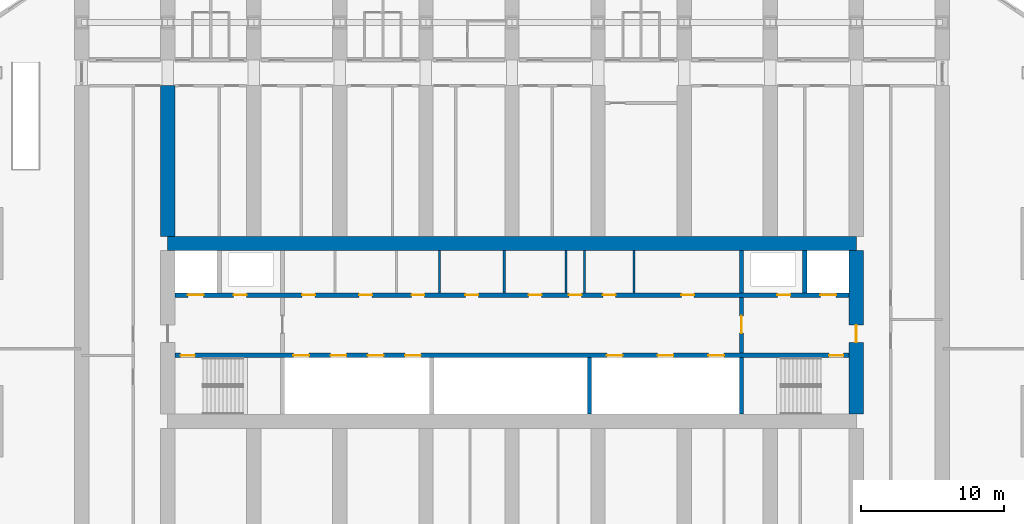
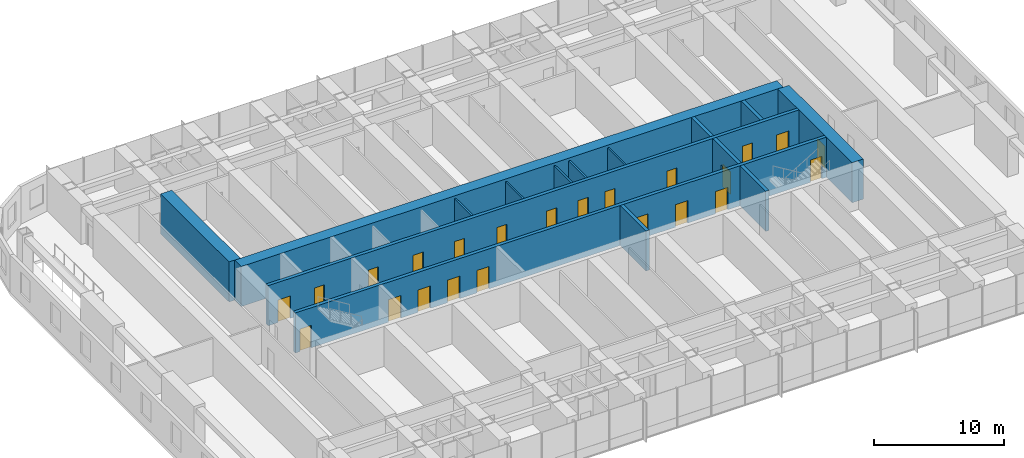
# One storey, part 13 of 22: 23 doors, 15 walls, 23 openings.
"""IFC4 building model written with IfcOpenShell, lengths in metres."""

from ifc_helpers import new_model, si_unit, direction, frame, frame_2d, origin, place, context, subcontext, project, spatial, rectangle, extrude, material, layer, layer_set, type_object, element, fill, save


model = new_model("IFC4")

# Units and contexts
model_context = context("Model", 3, precision=1e-05, world=origin(), true_north=direction((0.0, 1.0)))
body_context = subcontext(model_context, "Body", "Model", "MODEL_VIEW")
ifc_project = project(units=[si_unit("LENGTHUNIT", "METRE"), si_unit("AREAUNIT", "SQUARE_METRE"), si_unit("VOLUMEUNIT", "CUBIC_METRE"), si_unit("PLANEANGLEUNIT", "RADIAN"), si_unit("MASSUNIT", "GRAM", prefix="KILO")], contexts=[model_context])

# Site, building, storey
site_placement = place(None, origin())
site = spatial("IfcSite", under=ifc_project, at=site_placement, CompositionType="ELEMENT")
building_placement = place(site_placement, origin())
building = spatial("IfcBuilding", under=site, at=building_placement, Name="Orbita Commons", CompositionType="ELEMENT")
storey_placement = place(building_placement, frame((0.0, 0.0, 57.699951171875)))
storey = spatial("IfcBuildingStorey", under=building, at=storey_placement, Name="L14", CompositionType="ELEMENT", Elevation=57.699951171875)

# Wall, openings, doors
ifc_material_1 = material(Name="Concrete C50/60", Category="concrete")
ifc_layer_1 = layer(ifc_material_1, 0.300048828125)
ifc_layer_set_1 = layer_set([ifc_layer_1], Name="Concrete C50/60")
wall_type_1 = type_object("IfcWallType", Name="Core inner wall 300 C50/60", PredefinedType="SHEAR", material=ifc_layer_set_1)
wall_1_placement = place(storey_placement, frame((18.5, 30.39990234375, 0.0), z_axis=(0.0, 0.0, 1.0), x_axis=(1.0, 0.0, 0.0)))
wall_1 = element("IfcWall", 1, at=wall_1_placement, inside=storey, type_object=wall_type_1, Name="Lobby wall south L14", PredefinedType="SHEAR", context=body_context, shape_type="SweptSolid", body=[
    extrude(rectangle(XDim=47.0, YDim=0.300048828125, at=frame_2d((23.5, 0.0))), origin(), (0.0, 0.0, 1.0), 3.75),
])
opening_1_placement = place(wall_1_placement, frame((0.39990234375, 0.0, 0.0)))
opening_1 = element("IfcOpeningElement", 2, at=opening_1_placement, cuts=wall_1, Name="Opening D02", PredefinedType="OPENING", context=body_context, shape_type="SweptSolid", body=[
    extrude(rectangle(XDim=1.0, YDim=2.10009765625, at=frame_2d((0.5, 1.050048828125))), frame((0.0, 0.159912109375, 0.0), z_axis=(0.0, -1.0, 0.0), x_axis=(1.0, 0.0, 0.0)), (0.0, 0.0, 1.0), 0.320068359375),
])
opening_2_placement = place(wall_1_placement, frame((45.60009765625, 0.0, 0.0)))
opening_2 = element("IfcOpeningElement", 3, at=opening_2_placement, cuts=wall_1, Name="Opening D02", PredefinedType="OPENING", context=body_context, shape_type="SweptSolid", body=[
    extrude(rectangle(XDim=1.0, YDim=2.10009765625, at=frame_2d((0.5, 1.050048828125))), frame((0.0, 0.159912109375, 0.0), z_axis=(0.0, -1.0, 0.0), x_axis=(1.0, 0.0, 0.0)), (0.0, 0.0, 1.0), 0.320068359375),
])
opening_3_placement = place(wall_1_placement, frame((8.25, 0.0, 0.0)))
opening_3 = element("IfcOpeningElement", 4, at=opening_3_placement, cuts=wall_1, Name="Opening LD02", PredefinedType="OPENING", context=body_context, shape_type="SweptSolid", body=[
    extrude(rectangle(XDim=1.10009765625, YDim=2.10009765625, at=frame_2d((0.550048828125, 1.050048828125))), frame((0.0, 0.159912109375, 0.0), z_axis=(0.0, -1.0, 0.0), x_axis=(1.0, 0.0, 0.0)), (0.0, 0.0, 1.0), 0.320068359375),
])
opening_4_placement = place(wall_1_placement, frame((10.85009765625, 0.0, 0.0)))
opening_4 = element("IfcOpeningElement", 5, at=opening_4_placement, cuts=wall_1, Name="Opening LD02", PredefinedType="OPENING", context=body_context, shape_type="SweptSolid", body=[
    extrude(rectangle(XDim=1.10009765625, YDim=2.10009765625, at=frame_2d((0.550048828125, 1.050048828125))), frame((0.0, 0.159912109375, 0.0), z_axis=(0.0, -1.0, 0.0), x_axis=(1.0, 0.0, 0.0)), (0.0, 0.0, 1.0), 0.320068359375),
])
opening_5_placement = place(wall_1_placement, frame((13.449951171875, 0.0, 0.0)))
opening_5 = element("IfcOpeningElement", 6, at=opening_5_placement, cuts=wall_1, Name="Opening LD02", PredefinedType="OPENING", context=body_context, shape_type="SweptSolid", body=[
    extrude(rectangle(XDim=1.10009765625, YDim=2.10009765625, at=frame_2d((0.550048828125, 1.050048828125))), frame((0.0, 0.159912109375, 0.0), z_axis=(0.0, -1.0, 0.0), x_axis=(1.0, 0.0, 0.0)), (0.0, 0.0, 1.0), 0.320068359375),
])
opening_6_placement = place(wall_1_placement, frame((16.050048828125, 0.0, 0.0)))
opening_6 = element("IfcOpeningElement", 7, at=opening_6_placement, cuts=wall_1, Name="Opening LD02", PredefinedType="OPENING", context=body_context, shape_type="SweptSolid", body=[
    extrude(rectangle(XDim=1.10009765625, YDim=2.10009765625, at=frame_2d((0.550048828125, 1.050048828125))), frame((0.0, 0.159912109375, 0.0), z_axis=(0.0, -1.0, 0.0), x_axis=(1.0, 0.0, 0.0)), (0.0, 0.0, 1.0), 0.320068359375),
])
opening_7_placement = place(wall_1_placement, frame((30.11669921875, 0.0, 0.0)))
opening_7 = element("IfcOpeningElement", 8, at=opening_7_placement, cuts=wall_1, Name="Opening LD02", PredefinedType="OPENING", context=body_context, shape_type="SweptSolid", body=[
    extrude(rectangle(XDim=1.10009765625, YDim=2.10009765625, at=frame_2d((0.550048828125, 1.050048828125))), frame((0.0, 0.159912109375, 0.0), z_axis=(0.0, -1.0, 0.0), x_axis=(1.0, 0.0, 0.0)), (0.0, 0.0, 1.0), 0.320068359375),
])
opening_8_placement = place(wall_1_placement, frame((33.64990234375, 0.0, 0.0)))
opening_8 = element("IfcOpeningElement", 9, at=opening_8_placement, cuts=wall_1, Name="Opening LD02", PredefinedType="OPENING", context=body_context, shape_type="SweptSolid", body=[
    extrude(rectangle(XDim=1.10009765625, YDim=2.10009765625, at=frame_2d((0.550048828125, 1.050048828125))), frame((0.0, 0.159912109375, 0.0), z_axis=(0.0, -1.0, 0.0), x_axis=(1.0, 0.0, 0.0)), (0.0, 0.0, 1.0), 0.320068359375),
])
opening_9_placement = place(wall_1_placement, frame((37.183349609375, 0.0, 0.0)))
opening_9 = element("IfcOpeningElement", 10, at=opening_9_placement, cuts=wall_1, Name="Opening LD02", PredefinedType="OPENING", context=body_context, shape_type="SweptSolid", body=[
    extrude(rectangle(XDim=1.10009765625, YDim=2.10009765625, at=frame_2d((0.550048828125, 1.050048828125))), frame((0.0, 0.159912109375, 0.0), z_axis=(0.0, -1.0, 0.0), x_axis=(1.0, 0.0, 0.0)), (0.0, 0.0, 1.0), 0.320068359375),
])
ifc_material_2 = material(Name="Steel-faced fire door leaf", Category="steel")
door_type_1 = type_object("IfcDoorType", Name="Fire door 90 min 1000x2100", OperationType="SINGLE_SWING_LEFT", PredefinedType="DOOR", material=ifc_material_2)
door_1_placement = place(opening_1_placement, origin())
door_1 = element("IfcDoor", 11, at=door_1_placement, inside=storey, type_object=door_type_1, Name="Stair S1 door", OperationType="SINGLE_SWING_LEFT", OverallHeight=2.10009765625, OverallWidth=1.0, PredefinedType="DOOR", context=body_context, shape_type="SweptSolid", body=[
    extrude(rectangle(XDim=1.0, YDim=2.10009765625, at=frame_2d((0.5, 1.050048828125))), frame((0.0, 0.02490234375, 0.0), z_axis=(0.0, -1.0, 0.0), x_axis=(1.0, 0.0, 0.0)), (0.0, 0.0, 1.0), 0.050048828125),
])
fill(opening_1, door_1)
door_2_placement = place(opening_2_placement, origin())
door_2 = element("IfcDoor", 12, at=door_2_placement, inside=storey, type_object=door_type_1, Name="Stair S2 door", OperationType="SINGLE_SWING_LEFT", OverallHeight=2.10009765625, OverallWidth=1.0, PredefinedType="DOOR", context=body_context, shape_type="SweptSolid", body=[
    extrude(rectangle(XDim=1.0, YDim=2.10009765625, at=frame_2d((0.5, 1.050048828125))), frame((0.0, 0.02490234375, 0.0), z_axis=(0.0, -1.0, 0.0), x_axis=(1.0, 0.0, 0.0)), (0.0, 0.0, 1.0), 0.050048828125),
])
fill(opening_2, door_2)
ifc_material_3 = material(Name="Steel-faced fire door leaf", Category="steel")
door_type_2 = type_object("IfcDoorType", Name="Lift landing door 1100x2100", OperationType="DOUBLE_DOOR_SLIDING", PredefinedType="DOOR", material=ifc_material_3)
door_3_placement = place(opening_3_placement, origin())
door_3 = element("IfcDoor", 13, at=door_3_placement, inside=storey, type_object=door_type_2, Name="Lift P11 landing door", OperationType="DOUBLE_DOOR_SLIDING", OverallHeight=2.10009765625, OverallWidth=1.10009765625, PredefinedType="DOOR", context=body_context, shape_type="SweptSolid", body=[
    extrude(rectangle(XDim=1.10009765625, YDim=2.10009765625, at=frame_2d((0.550048828125, 1.050048828125))), frame((0.0, 0.02490234375, 0.0), z_axis=(0.0, -1.0, 0.0), x_axis=(1.0, 0.0, 0.0)), (0.0, 0.0, 1.0), 0.050048828125),
])
fill(opening_3, door_3)
door_4_placement = place(opening_4_placement, origin())
door_4 = element("IfcDoor", 14, at=door_4_placement, inside=storey, type_object=door_type_2, Name="Lift P12 landing door", OperationType="DOUBLE_DOOR_SLIDING", OverallHeight=2.10009765625, OverallWidth=1.10009765625, PredefinedType="DOOR", context=body_context, shape_type="SweptSolid", body=[
    extrude(rectangle(XDim=1.10009765625, YDim=2.10009765625, at=frame_2d((0.550048828125, 1.050048828125))), frame((0.0, 0.02490234375, 0.0), z_axis=(0.0, -1.0, 0.0), x_axis=(1.0, 0.0, 0.0)), (0.0, 0.0, 1.0), 0.050048828125),
])
fill(opening_4, door_4)
door_5_placement = place(opening_5_placement, origin())
door_5 = element("IfcDoor", 15, at=door_5_placement, inside=storey, type_object=door_type_2, Name="Lift P13 landing door", OperationType="DOUBLE_DOOR_SLIDING", OverallHeight=2.10009765625, OverallWidth=1.10009765625, PredefinedType="DOOR", context=body_context, shape_type="SweptSolid", body=[
    extrude(rectangle(XDim=1.10009765625, YDim=2.10009765625, at=frame_2d((0.550048828125, 1.050048828125))), frame((0.0, 0.02490234375, 0.0), z_axis=(0.0, -1.0, 0.0), x_axis=(1.0, 0.0, 0.0)), (0.0, 0.0, 1.0), 0.050048828125),
])
fill(opening_5, door_5)
door_6_placement = place(opening_6_placement, origin())
door_6 = element("IfcDoor", 16, at=door_6_placement, inside=storey, type_object=door_type_2, Name="Lift P14 landing door", OperationType="DOUBLE_DOOR_SLIDING", OverallHeight=2.10009765625, OverallWidth=1.10009765625, PredefinedType="DOOR", context=body_context, shape_type="SweptSolid", body=[
    extrude(rectangle(XDim=1.10009765625, YDim=2.10009765625, at=frame_2d((0.550048828125, 1.050048828125))), frame((0.0, 0.02490234375, 0.0), z_axis=(0.0, -1.0, 0.0), x_axis=(1.0, 0.0, 0.0)), (0.0, 0.0, 1.0), 0.050048828125),
])
fill(opening_6, door_6)
door_7_placement = place(opening_7_placement, origin())
door_7 = element("IfcDoor", 17, at=door_7_placement, inside=storey, type_object=door_type_2, Name="Lift SV1 landing door", OperationType="DOUBLE_DOOR_SLIDING", OverallHeight=2.10009765625, OverallWidth=1.10009765625, PredefinedType="DOOR", context=body_context, shape_type="SweptSolid", body=[
    extrude(rectangle(XDim=1.10009765625, YDim=2.10009765625, at=frame_2d((0.550048828125, 1.050048828125))), frame((0.0, 0.02490234375, 0.0), z_axis=(0.0, -1.0, 0.0), x_axis=(1.0, 0.0, 0.0)), (0.0, 0.0, 1.0), 0.050048828125),
])
fill(opening_7, door_7)
door_8_placement = place(opening_8_placement, origin())
door_8 = element("IfcDoor", 18, at=door_8_placement, inside=storey, type_object=door_type_2, Name="Lift SV2 landing door", OperationType="DOUBLE_DOOR_SLIDING", OverallHeight=2.10009765625, OverallWidth=1.10009765625, PredefinedType="DOOR", context=body_context, shape_type="SweptSolid", body=[
    extrude(rectangle(XDim=1.10009765625, YDim=2.10009765625, at=frame_2d((0.550048828125, 1.050048828125))), frame((0.0, 0.02490234375, 0.0), z_axis=(0.0, -1.0, 0.0), x_axis=(1.0, 0.0, 0.0)), (0.0, 0.0, 1.0), 0.050048828125),
])
fill(opening_8, door_8)
door_9_placement = place(opening_9_placement, origin())
door_9 = element("IfcDoor", 19, at=door_9_placement, inside=storey, type_object=door_type_2, Name="Lift SV3 landing door", OperationType="DOUBLE_DOOR_SLIDING", OverallHeight=2.10009765625, OverallWidth=1.10009765625, PredefinedType="DOOR", context=body_context, shape_type="SweptSolid", body=[
    extrude(rectangle(XDim=1.10009765625, YDim=2.10009765625, at=frame_2d((0.550048828125, 1.050048828125))), frame((0.0, 0.02490234375, 0.0), z_axis=(0.0, -1.0, 0.0), x_axis=(1.0, 0.0, 0.0)), (0.0, 0.0, 1.0), 0.050048828125),
])
fill(opening_9, door_9)

wall_2_placement = place(storey_placement, frame((18.5, 34.60009765625, 0.0), z_axis=(0.0, 0.0, 1.0), x_axis=(1.0, 0.0, 0.0)))
wall_2 = element("IfcWall", 20, at=wall_2_placement, inside=storey, type_object=wall_type_1, Name="Lobby wall north L14", PredefinedType="SHEAR", context=body_context, shape_type="SweptSolid", body=[
    extrude(rectangle(XDim=47.0, YDim=0.300048828125, at=frame_2d((23.5, 0.0))), origin(), (0.0, 0.0, 1.0), 3.75),
])
opening_10_placement = place(wall_2_placement, frame((0.89990234375, 0.0, 0.0)))
opening_10 = element("IfcOpeningElement", 21, at=opening_10_placement, cuts=wall_2, Name="Opening LD01", PredefinedType="OPENING", context=body_context, shape_type="SweptSolid", body=[
    extrude(rectangle(XDim=1.10009765625, YDim=2.10009765625, at=frame_2d((0.550048828125, 1.050048828125))), frame((0.0, 0.159912109375, 0.0), z_axis=(0.0, -1.0, 0.0), x_axis=(1.0, 0.0, 0.0)), (0.0, 0.0, 1.0), 0.320068359375),
])
opening_11_placement = place(wall_2_placement, frame((45.0, 0.0, 0.0)))
opening_11 = element("IfcOpeningElement", 22, at=opening_11_placement, cuts=wall_2, Name="Opening LD01", PredefinedType="OPENING", context=body_context, shape_type="SweptSolid", body=[
    extrude(rectangle(XDim=1.10009765625, YDim=2.10009765625, at=frame_2d((0.550048828125, 1.050048828125))), frame((0.0, 0.159912109375, 0.0), z_axis=(0.0, -1.0, 0.0), x_axis=(1.0, 0.0, 0.0)), (0.0, 0.0, 1.0), 0.320068359375),
])
opening_12_placement = place(wall_2_placement, frame((4.10009765625, 0.0, 0.0)))
opening_12 = element("IfcOpeningElement", 23, at=opening_12_placement, cuts=wall_2, Name="Opening D03", PredefinedType="OPENING", context=body_context, shape_type="SweptSolid", body=[
    extrude(rectangle(XDim=0.89990234375, YDim=2.10009765625, at=frame_2d((0.449951171875, 1.050048828125))), frame((0.0, 0.159912109375, 0.0), z_axis=(0.0, -1.0, 0.0), x_axis=(1.0, 0.0, 0.0)), (0.0, 0.0, 1.0), 0.320068359375),
])
opening_13_placement = place(wall_2_placement, frame((42.0, 0.0, 0.0)))
opening_13 = element("IfcOpeningElement", 24, at=opening_13_placement, cuts=wall_2, Name="Opening D03", PredefinedType="OPENING", context=body_context, shape_type="SweptSolid", body=[
    extrude(rectangle(XDim=0.89990234375, YDim=2.10009765625, at=frame_2d((0.449951171875, 1.050048828125))), frame((0.0, 0.159912109375, 0.0), z_axis=(0.0, -1.0, 0.0), x_axis=(1.0, 0.0, 0.0)), (0.0, 0.0, 1.0), 0.320068359375),
])
opening_14_placement = place(wall_2_placement, frame((8.87548828125, 0.0, 0.0)))
opening_14 = element("IfcOpeningElement", 25, at=opening_14_placement, cuts=wall_2, Name="Opening D05", PredefinedType="OPENING", context=body_context, shape_type="SweptSolid", body=[
    extrude(rectangle(XDim=0.89990234375, YDim=2.10009765625, at=frame_2d((0.449951171875, 1.050048828125))), frame((0.0, 0.159912109375, 0.0), z_axis=(0.0, -1.0, 0.0), x_axis=(1.0, 0.0, 0.0)), (0.0, 0.0, 1.0), 0.320068359375),
])
opening_15_placement = place(wall_2_placement, frame((12.8486328125, 0.0, 0.0)))
opening_15 = element("IfcOpeningElement", 26, at=opening_15_placement, cuts=wall_2, Name="Opening D03", PredefinedType="OPENING", context=body_context, shape_type="SweptSolid", body=[
    extrude(rectangle(XDim=0.89990234375, YDim=2.10009765625, at=frame_2d((0.449951171875, 1.050048828125))), frame((0.0, 0.159912109375, 0.0), z_axis=(0.0, -1.0, 0.0), x_axis=(1.0, 0.0, 0.0)), (0.0, 0.0, 1.0), 0.320068359375),
])
opening_16_placement = place(wall_2_placement, frame((16.496337890625, 0.0, 0.0)))
opening_16 = element("IfcOpeningElement", 27, at=opening_16_placement, cuts=wall_2, Name="Opening D03", PredefinedType="OPENING", context=body_context, shape_type="SweptSolid", body=[
    extrude(rectangle(XDim=0.89990234375, YDim=2.10009765625, at=frame_2d((0.449951171875, 1.050048828125))), frame((0.0, 0.159912109375, 0.0), z_axis=(0.0, -1.0, 0.0), x_axis=(1.0, 0.0, 0.0)), (0.0, 0.0, 1.0), 0.320068359375),
])
opening_17_placement = place(wall_2_placement, frame((20.254638671875, 0.0, 0.0)))
opening_17 = element("IfcOpeningElement", 28, at=opening_17_placement, cuts=wall_2, Name="Opening D05", PredefinedType="OPENING", context=body_context, shape_type="SweptSolid", body=[
    extrude(rectangle(XDim=0.89990234375, YDim=2.10009765625, at=frame_2d((0.449951171875, 1.050048828125))), frame((0.0, 0.159912109375, 0.0), z_axis=(0.0, -1.0, 0.0), x_axis=(1.0, 0.0, 0.0)), (0.0, 0.0, 1.0), 0.320068359375),
])
opening_18_placement = place(wall_2_placement, frame((24.66064453125, 0.0, 0.0)))
opening_18 = element("IfcOpeningElement", 29, at=opening_18_placement, cuts=wall_2, Name="Opening D03", PredefinedType="OPENING", context=body_context, shape_type="SweptSolid", body=[
    extrude(rectangle(XDim=0.89990234375, YDim=2.10009765625, at=frame_2d((0.449951171875, 1.050048828125))), frame((0.0, 0.159912109375, 0.0), z_axis=(0.0, -1.0, 0.0), x_axis=(1.0, 0.0, 0.0)), (0.0, 0.0, 1.0), 0.320068359375),
])
opening_19_placement = place(wall_2_placement, frame((27.45849609375, 0.0, 0.0)))
opening_19 = element("IfcOpeningElement", 30, at=opening_19_placement, cuts=wall_2, Name="Opening D03", PredefinedType="OPENING", context=body_context, shape_type="SweptSolid", body=[
    extrude(rectangle(XDim=0.89990234375, YDim=2.10009765625, at=frame_2d((0.449951171875, 1.050048828125))), frame((0.0, 0.159912109375, 0.0), z_axis=(0.0, -1.0, 0.0), x_axis=(1.0, 0.0, 0.0)), (0.0, 0.0, 1.0), 0.320068359375),
])
opening_20_placement = place(wall_2_placement, frame((29.830810546875, 0.0, 0.0)))
opening_20 = element("IfcOpeningElement", 31, at=opening_20_placement, cuts=wall_2, Name="Opening D05", PredefinedType="OPENING", context=body_context, shape_type="SweptSolid", body=[
    extrude(rectangle(XDim=0.89990234375, YDim=2.10009765625, at=frame_2d((0.449951171875, 1.050048828125))), frame((0.0, 0.159912109375, 0.0), z_axis=(0.0, -1.0, 0.0), x_axis=(1.0, 0.0, 0.0)), (0.0, 0.0, 1.0), 0.320068359375),
])
opening_21_placement = place(wall_2_placement, frame((35.301513671875, 0.0, 0.0)))
opening_21 = element("IfcOpeningElement", 32, at=opening_21_placement, cuts=wall_2, Name="Opening D03", PredefinedType="OPENING", context=body_context, shape_type="SweptSolid", body=[
    extrude(rectangle(XDim=0.89990234375, YDim=2.10009765625, at=frame_2d((0.449951171875, 1.050048828125))), frame((0.0, 0.159912109375, 0.0), z_axis=(0.0, -1.0, 0.0), x_axis=(1.0, 0.0, 0.0)), (0.0, 0.0, 1.0), 0.320068359375),
])
ifc_material_4 = material(Name="Steel-faced fire door leaf", Category="steel")
door_type_3 = type_object("IfcDoorType", Name="Firefighting lift landing door 1100x2100", OperationType="DOUBLE_DOOR_SLIDING", PredefinedType="DOOR", material=ifc_material_4)
door_10_placement = place(opening_10_placement, origin())
door_10 = element("IfcDoor", 33, at=door_10_placement, inside=storey, type_object=door_type_3, Name="Firefighting lift FL1 landing door", OperationType="DOUBLE_DOOR_SLIDING", OverallHeight=2.10009765625, OverallWidth=1.10009765625, PredefinedType="DOOR", context=body_context, shape_type="SweptSolid", body=[
    extrude(rectangle(XDim=1.10009765625, YDim=2.10009765625, at=frame_2d((0.550048828125, 1.050048828125))), frame((0.0, 0.02490234375, 0.0), z_axis=(0.0, -1.0, 0.0), x_axis=(1.0, 0.0, 0.0)), (0.0, 0.0, 1.0), 0.050048828125),
])
fill(opening_10, door_10)
door_11_placement = place(opening_11_placement, origin())
door_11 = element("IfcDoor", 34, at=door_11_placement, inside=storey, type_object=door_type_3, Name="Firefighting lift FL2 landing door", OperationType="DOUBLE_DOOR_SLIDING", OverallHeight=2.10009765625, OverallWidth=1.10009765625, PredefinedType="DOOR", context=body_context, shape_type="SweptSolid", body=[
    extrude(rectangle(XDim=1.10009765625, YDim=2.10009765625, at=frame_2d((0.550048828125, 1.050048828125))), frame((0.0, 0.02490234375, 0.0), z_axis=(0.0, -1.0, 0.0), x_axis=(1.0, 0.0, 0.0)), (0.0, 0.0, 1.0), 0.050048828125),
])
fill(opening_11, door_11)
ifc_material_5 = material(Name="Steel-faced fire door leaf", Category="steel")
door_type_4 = type_object("IfcDoorType", Name="Service door 20 min 900x2100", OperationType="SINGLE_SWING_LEFT", PredefinedType="DOOR", material=ifc_material_5)
door_12_placement = place(opening_14_placement, origin())
door_12 = element("IfcDoor", 35, at=door_12_placement, inside=storey, type_object=door_type_4, Name="Staff WC door", OperationType="SINGLE_SWING_LEFT", OverallHeight=2.10009765625, OverallWidth=0.89990234375, PredefinedType="DOOR", context=body_context, shape_type="SweptSolid", body=[
    extrude(rectangle(XDim=0.89990234375, YDim=2.10009765625, at=frame_2d((0.449951171875, 1.050048828125))), frame((0.0, 0.02490234375, 0.0), z_axis=(0.0, -1.0, 0.0), x_axis=(1.0, 0.0, 0.0)), (0.0, 0.0, 1.0), 0.050048828125),
])
fill(opening_14, door_12)
door_13_placement = place(opening_17_placement, origin())
door_13 = element("IfcDoor", 36, at=door_13_placement, inside=storey, type_object=door_type_4, Name="Vending and ice room door", OperationType="SINGLE_SWING_LEFT", OverallHeight=2.10009765625, OverallWidth=0.89990234375, PredefinedType="DOOR", context=body_context, shape_type="SweptSolid", body=[
    extrude(rectangle(XDim=0.89990234375, YDim=2.10009765625, at=frame_2d((0.449951171875, 1.050048828125))), frame((0.0, 0.02490234375, 0.0), z_axis=(0.0, -1.0, 0.0), x_axis=(1.0, 0.0, 0.0)), (0.0, 0.0, 1.0), 0.050048828125),
])
fill(opening_17, door_13)
door_14_placement = place(opening_20_placement, origin())
door_14 = element("IfcDoor", 37, at=door_14_placement, inside=storey, type_object=door_type_4, Name="Accessible WC door", OperationType="SINGLE_SWING_LEFT", OverallHeight=2.10009765625, OverallWidth=0.89990234375, PredefinedType="DOOR", context=body_context, shape_type="SweptSolid", body=[
    extrude(rectangle(XDim=0.89990234375, YDim=2.10009765625, at=frame_2d((0.449951171875, 1.050048828125))), frame((0.0, 0.02490234375, 0.0), z_axis=(0.0, -1.0, 0.0), x_axis=(1.0, 0.0, 0.0)), (0.0, 0.0, 1.0), 0.050048828125),
])
fill(opening_20, door_14)
ifc_material_6 = material(Name="Steel-faced fire door leaf", Category="steel")
door_type_5 = type_object("IfcDoorType", Name="Shaft access door 90 min 900x2100", OperationType="SINGLE_SWING_LEFT", PredefinedType="DOOR", material=ifc_material_6)
door_15_placement = place(opening_12_placement, origin())
door_15 = element("IfcDoor", 38, at=door_15_placement, inside=storey, type_object=door_type_5, Name="Riser door west", OperationType="SINGLE_SWING_LEFT", OverallHeight=2.10009765625, OverallWidth=0.89990234375, PredefinedType="DOOR", context=body_context, shape_type="SweptSolid", body=[
    extrude(rectangle(XDim=0.89990234375, YDim=2.10009765625, at=frame_2d((0.449951171875, 1.050048828125))), frame((0.0, 0.02490234375, 0.0), z_axis=(0.0, -1.0, 0.0), x_axis=(1.0, 0.0, 0.0)), (0.0, 0.0, 1.0), 0.050048828125),
])
fill(opening_12, door_15)
door_16_placement = place(opening_13_placement, origin())
door_16 = element("IfcDoor", 39, at=door_16_placement, inside=storey, type_object=door_type_5, Name="Riser door east", OperationType="SINGLE_SWING_LEFT", OverallHeight=2.10009765625, OverallWidth=0.89990234375, PredefinedType="DOOR", context=body_context, shape_type="SweptSolid", body=[
    extrude(rectangle(XDim=0.89990234375, YDim=2.10009765625, at=frame_2d((0.449951171875, 1.050048828125))), frame((0.0, 0.02490234375, 0.0), z_axis=(0.0, -1.0, 0.0), x_axis=(1.0, 0.0, 0.0)), (0.0, 0.0, 1.0), 0.050048828125),
])
fill(opening_13, door_16)
door_17_placement = place(opening_15_placement, origin())
door_17 = element("IfcDoor", 40, at=door_17_placement, inside=storey, type_object=door_type_5, Name="Refuse chute room door", OperationType="SINGLE_SWING_LEFT", OverallHeight=2.10009765625, OverallWidth=0.89990234375, PredefinedType="DOOR", context=body_context, shape_type="SweptSolid", body=[
    extrude(rectangle(XDim=0.89990234375, YDim=2.10009765625, at=frame_2d((0.449951171875, 1.050048828125))), frame((0.0, 0.02490234375, 0.0), z_axis=(0.0, -1.0, 0.0), x_axis=(1.0, 0.0, 0.0)), (0.0, 0.0, 1.0), 0.050048828125),
])
fill(opening_15, door_17)
door_18_placement = place(opening_16_placement, origin())
door_18 = element("IfcDoor", 41, at=door_18_placement, inside=storey, type_object=door_type_5, Name="Electrical riser room door", OperationType="SINGLE_SWING_LEFT", OverallHeight=2.10009765625, OverallWidth=0.89990234375, PredefinedType="DOOR", context=body_context, shape_type="SweptSolid", body=[
    extrude(rectangle(XDim=0.89990234375, YDim=2.10009765625, at=frame_2d((0.449951171875, 1.050048828125))), frame((0.0, 0.02490234375, 0.0), z_axis=(0.0, -1.0, 0.0), x_axis=(1.0, 0.0, 0.0)), (0.0, 0.0, 1.0), 0.050048828125),
])
fill(opening_16, door_18)
door_19_placement = place(opening_18_placement, origin())
door_19 = element("IfcDoor", 42, at=door_19_placement, inside=storey, type_object=door_type_5, Name="Communications room door", OperationType="SINGLE_SWING_LEFT", OverallHeight=2.10009765625, OverallWidth=0.89990234375, PredefinedType="DOOR", context=body_context, shape_type="SweptSolid", body=[
    extrude(rectangle(XDim=0.89990234375, YDim=2.10009765625, at=frame_2d((0.449951171875, 1.050048828125))), frame((0.0, 0.02490234375, 0.0), z_axis=(0.0, -1.0, 0.0), x_axis=(1.0, 0.0, 0.0)), (0.0, 0.0, 1.0), 0.050048828125),
])
fill(opening_18, door_19)
door_20_placement = place(opening_19_placement, origin())
door_20 = element("IfcDoor", 43, at=door_20_placement, inside=storey, type_object=door_type_5, Name="Stair pressurisation duct door", OperationType="SINGLE_SWING_LEFT", OverallHeight=2.10009765625, OverallWidth=0.89990234375, PredefinedType="DOOR", context=body_context, shape_type="SweptSolid", body=[
    extrude(rectangle(XDim=0.89990234375, YDim=2.10009765625, at=frame_2d((0.449951171875, 1.050048828125))), frame((0.0, 0.02490234375, 0.0), z_axis=(0.0, -1.0, 0.0), x_axis=(1.0, 0.0, 0.0)), (0.0, 0.0, 1.0), 0.050048828125),
])
fill(opening_19, door_20)
door_21_placement = place(opening_21_placement, origin())
door_21 = element("IfcDoor", 44, at=door_21_placement, inside=storey, type_object=door_type_5, Name="Linen and housekeeping store door", OperationType="SINGLE_SWING_LEFT", OverallHeight=2.10009765625, OverallWidth=0.89990234375, PredefinedType="DOOR", context=body_context, shape_type="SweptSolid", body=[
    extrude(rectangle(XDim=0.89990234375, YDim=2.10009765625, at=frame_2d((0.449951171875, 1.050048828125))), frame((0.0, 0.02490234375, 0.0), z_axis=(0.0, -1.0, 0.0), x_axis=(1.0, 0.0, 0.0)), (0.0, 0.0, 1.0), 0.050048828125),
])
fill(opening_21, door_21)

# Wall
wall_3_placement = place(storey_placement, frame((58.0, 26.300048828125, 0.0), z_axis=(0.0, 0.0, 1.0), x_axis=(0.0, 1.0, 0.0)))
element("IfcWall", 45, at=wall_3_placement, inside=storey, type_object=wall_type_1, Name="Stair S2 wall L14", PredefinedType="SHEAR", context=body_context, shape_type="SweptSolid", body=[
    extrude(rectangle(XDim=3.949951171875, YDim=0.300048828125, at=frame_2d((1.97509765625, 0.0))), origin(), (0.0, 0.0, 1.0), 3.75),
])

# Wall, opening, door
wall_4_placement = place(storey_placement, frame((58.0, 30.550048828125, 0.0), z_axis=(0.0, 0.0, 1.0), x_axis=(0.0, 1.0, 0.0)))
wall_4 = element("IfcWall", 46, at=wall_4_placement, inside=storey, type_object=wall_type_1, Name="Firefighting lobby wall east L14", PredefinedType="SHEAR", context=body_context, shape_type="SweptSolid", body=[
    extrude(rectangle(XDim=3.89990234375, YDim=0.300048828125, at=frame_2d((1.949951171875, 0.0))), origin(), (0.0, 0.0, 1.0), 3.75),
])
opening_22_placement = place(wall_4_placement, frame((1.39990234375, 0.0, 0.0)))
opening_22 = element("IfcOpeningElement", 47, at=opening_22_placement, cuts=wall_4, Name="Opening D04", PredefinedType="OPENING", context=body_context, shape_type="SweptSolid", body=[
    extrude(rectangle(XDim=1.199951171875, YDim=2.10009765625, at=frame_2d((0.60009765625, 1.050048828125))), frame((0.0, 0.159912109375, 0.0), z_axis=(0.0, -1.0, 0.0), x_axis=(1.0, 0.0, 0.0)), (0.0, 0.0, 1.0), 0.320068359375),
])
ifc_material_7 = material(Name="Steel-faced fire door leaf", Category="steel")
door_type_6 = type_object("IfcDoorType", Name="Service door 20 min 1200x2100", OperationType="SINGLE_SWING_LEFT", PredefinedType="DOOR", material=ifc_material_7)
door_22_placement = place(opening_22_placement, origin())
door_22 = element("IfcDoor", 48, at=door_22_placement, inside=storey, type_object=door_type_6, Name="Lift lobby door east", OperationType="SINGLE_SWING_LEFT", OverallHeight=2.10009765625, OverallWidth=1.199951171875, PredefinedType="DOOR", context=body_context, shape_type="SweptSolid", body=[
    extrude(rectangle(XDim=1.199951171875, YDim=2.10009765625, at=frame_2d((0.60009765625, 1.050048828125))), frame((0.0, 0.02490234375, 0.0), z_axis=(0.0, -1.0, 0.0), x_axis=(1.0, 0.0, 0.0)), (0.0, 0.0, 1.0), 0.050048828125),
])
fill(opening_22, door_22)

# Walls
for number, where, z_axis, x_axis, name in (
    (49, (62.39990234375, 34.75, 0.0), (0.0, 0.0, 1.0), (0.0, 1.0, 0.0), "Firefighting lift FL2 shaft wall L14"),
    (50, (58.0, 34.75, 0.0), (0.0, 0.0, 1.0), (0.0, 1.0, 0.0), "Riser wall east L14"),
):
    element("IfcWall", number, at=place(storey_placement, frame(where, z_axis=z_axis, x_axis=x_axis)), inside=storey, type_object=wall_type_1, Name=name, PredefinedType="SHEAR", context=body_context, shape_type="SweptSolid", body=[
        extrude(rectangle(XDim=2.949951171875, YDim=0.300048828125, at=frame_2d((1.47509765625, 0.0))), origin(), (0.0, 0.0, 1.0), 3.75),
    ])
wall_5_placement = place(storey_placement, frame((47.39990234375, 26.300048828125, 0.0), z_axis=(0.0, 0.0, 1.0), x_axis=(0.0, 1.0, 0.0)))
element("IfcWall", 51, at=wall_5_placement, inside=storey, type_object=wall_type_1, Name="Hoistway division wall L14", PredefinedType="SHEAR", context=body_context, shape_type="SweptSolid", body=[
    extrude(rectangle(XDim=3.949951171875, YDim=0.300048828125, at=frame_2d((1.97509765625, 0.0))), origin(), (0.0, 0.0, 1.0), 3.75),
])
ifc_material_8 = material(Name="Concrete blockwork", Category="masonry")
ifc_layer_2 = layer(ifc_material_8, 0.14990234375)
ifc_layer_set_2 = layer_set([ifc_layer_2], Name="Concrete blockwork")
wall_type_2 = type_object("IfcWallType", Name="Core partition 150 blockwork", PredefinedType="SOLIDWALL", material=ifc_layer_set_2)
for number, where, z_axis, x_axis, name in (
    (52, (36.9462890625, 34.75, 0.0), (0.0, 0.0, 1.0), (0.0, 1.0, 0.0), "Core partition 150 blockwork L14"),
    (53, (41.463134765625, 34.75, 0.0), (0.0, 0.0, 1.0), (0.0, 1.0, 0.0), "Core partition 150 blockwork L14"),
    (54, (45.75830078125, 34.75, 0.0), (0.0, 0.0, 1.0), (0.0, 1.0, 0.0), "Core partition 150 blockwork L14"),
    (55, (47.058349609375, 34.75, 0.0), (0.0, 0.0, 1.0), (0.0, 1.0, 0.0), "Core partition 150 blockwork L14"),
    (56, (50.5029296875, 34.75, 0.0), (0.0, 0.0, 1.0), (0.0, 1.0, 0.0), "Core partition 150 blockwork L14"),
):
    element("IfcWall", number, at=place(storey_placement, frame(where, z_axis=z_axis, x_axis=x_axis)), inside=storey, type_object=wall_type_2, Name=name, PredefinedType="SOLIDWALL", context=body_context, shape_type="SweptSolid", body=[
        extrude(rectangle(XDim=2.949951171875, YDim=0.14990234375, at=frame_2d((1.47509765625, 0.0))), origin(), (0.0, 0.0, 1.0), 3.5),
    ])
ifc_material_9 = material(Name="Concrete C50/60", Category="concrete")
ifc_layer_3 = layer(ifc_material_9, 1.0)
ifc_layer_set_3 = layer_set([ifc_layer_3], Name="Concrete C50/60")
wall_type_3 = type_object("IfcWallType", Name="Core wall 1000 C50/60", PredefinedType="SHEAR", material=ifc_layer_set_3)
wall_6_placement = place(storey_placement, frame((18.0, 38.199951171875, 0.0), z_axis=(0.0, 0.0, 1.0), x_axis=(1.0, 0.0, 0.0)))
element("IfcWall", 57, at=wall_6_placement, inside=storey, type_object=wall_type_3, Name="Core spine wall north L14", PredefinedType="SHEAR", context=body_context, shape_type="SweptSolid", body=[
    extrude(rectangle(XDim=48.0, YDim=1.0, at=frame_2d((24.0, 0.0))), origin(), (0.0, 0.0, 1.0), 3.75),
])

# Wall, opening, door
wall_7_placement = place(storey_placement, frame((66.0, 26.300048828125, 0.0), z_axis=(0.0, 0.0, 1.0), x_axis=(0.0, 1.0, 0.0)))
wall_7 = element("IfcWall", 58, at=wall_7_placement, inside=storey, type_object=wall_type_3, Name="Core end wall east L14", PredefinedType="SHEAR", context=body_context, shape_type="SweptSolid", body=[
    extrude(rectangle(XDim=11.39990234375, YDim=1.0, at=frame_2d((5.699951171875, 0.0))), origin(), (0.0, 0.0, 1.0), 3.75),
])
opening_23_placement = place(wall_7_placement, frame((5.0, 0.0, 0.0)))
opening_23 = element("IfcOpeningElement", 59, at=opening_23_placement, cuts=wall_7, Name="Opening D01", PredefinedType="OPENING", context=body_context, shape_type="SweptSolid", body=[
    extrude(rectangle(XDim=1.199951171875, YDim=2.10009765625, at=frame_2d((0.60009765625, 1.050048828125))), frame((0.0, 0.510009765625, 0.0), z_axis=(0.0, -1.0, 0.0), x_axis=(1.0, 0.0, 0.0)), (0.0, 0.0, 1.0), 1.02001953125),
])
ifc_material_10 = material(Name="Steel-faced fire door leaf", Category="steel")
door_type_7 = type_object("IfcDoorType", Name="Fire door 90 min 1200x2100", OperationType="SINGLE_SWING_LEFT", PredefinedType="DOOR", material=ifc_material_10)
door_23_placement = place(opening_23_placement, origin())
door_23 = element("IfcDoor", 60, at=door_23_placement, inside=storey, type_object=door_type_7, Name="Firefighting lobby east door", OperationType="SINGLE_SWING_LEFT", OverallHeight=2.10009765625, OverallWidth=1.199951171875, PredefinedType="DOOR", context=body_context, shape_type="SweptSolid", body=[
    extrude(rectangle(XDim=1.199951171875, YDim=2.10009765625, at=frame_2d((0.60009765625, 1.050048828125))), frame((0.0, 0.02490234375, 0.0), z_axis=(0.0, -1.0, 0.0), x_axis=(1.0, 0.0, 0.0)), (0.0, 0.0, 1.0), 0.050048828125),
])
fill(opening_23, door_23)

# Wall
ifc_material_11 = material(Name="Concrete C50/60", Category="concrete")
ifc_layer_4 = layer(ifc_material_11, 1.0)
ifc_layer_set_4 = layer_set([ifc_layer_4], Name="Concrete C50/60")
wall_type_4 = type_object("IfcWallType", Name="Cross wall 1000 C50/60", PredefinedType="SHEAR", material=ifc_layer_set_4)
wall_8_placement = place(storey_placement, frame((18.0, 38.699951171875, 0.0), z_axis=(0.0, 0.0, 1.0), x_axis=(0.0, 1.0, 0.0)))
element("IfcWall", 61, at=wall_8_placement, inside=storey, type_object=wall_type_4, Name="Cross wall 4 north inner L14", PredefinedType="SHEAR", context=body_context, shape_type="SweptSolid", body=[
    extrude(rectangle(XDim=10.5, YDim=1.0, at=frame_2d((5.25, 0.0))), origin(), (0.0, 0.0, 1.0), 3.75),
])

save(model, "model.ifc")
